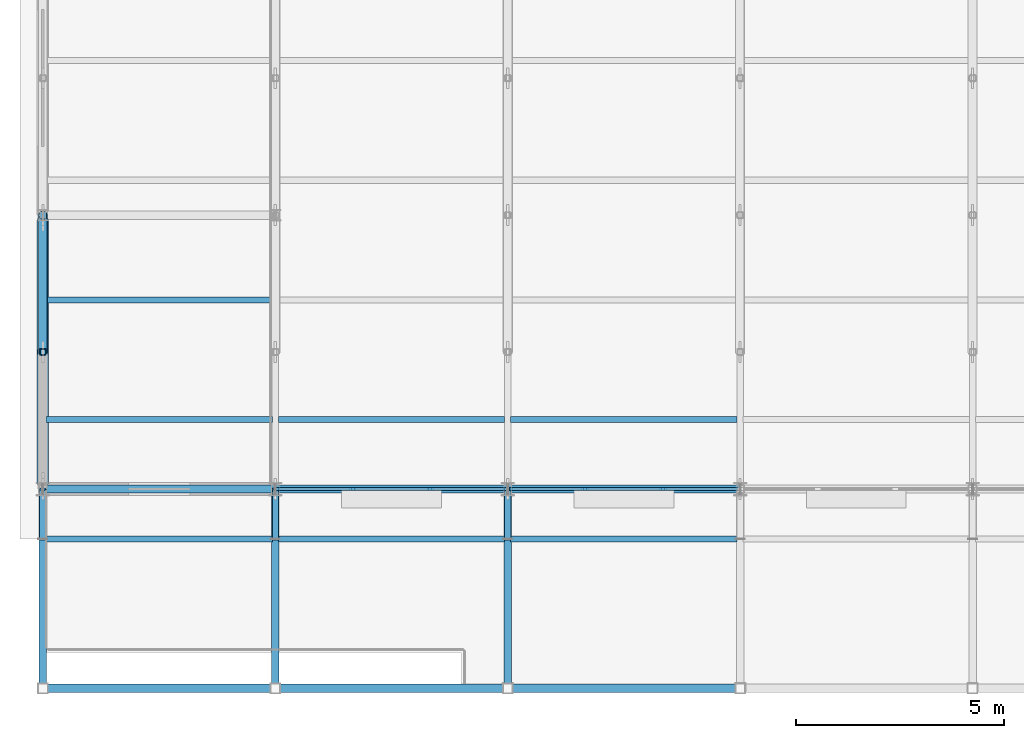
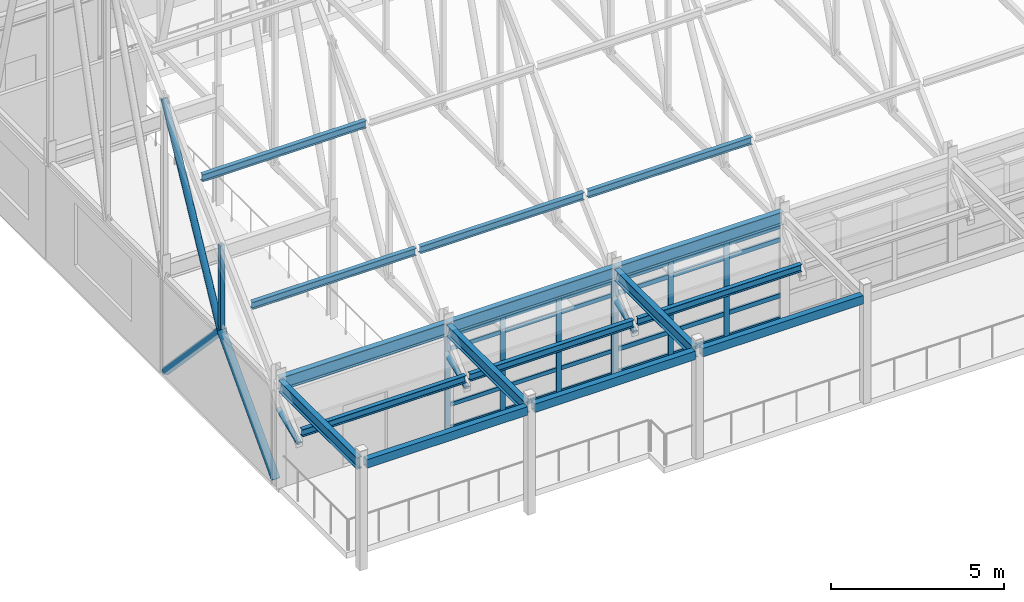
# One storey, part 22 of 144: 45 members, 9 beams, 2 elements without a shape of their own.
"""IFC4 building model written with IfcOpenShell, lengths in metres."""

from ifc_helpers import new_model, si_unit, direction, frame, origin, origin_2d, place, context, subcontext, project, spatial, rectangle, hollow_rectangle, hollow_circle, i_section, extrude, material, layer, layer_set, material_profile, profile_set, type_object, element, aggregate, save


model = new_model("IFC4")

# Units and contexts
model_context = context("Model", 3, precision=1e-05, world=origin(), true_north=direction((0.0, 1.0)))
body_context = subcontext(model_context, "Body", "Model", "MODEL_VIEW")
ifc_project = project(units=[si_unit("LENGTHUNIT", "METRE"), si_unit("AREAUNIT", "SQUARE_METRE"), si_unit("VOLUMEUNIT", "CUBIC_METRE"), si_unit("PLANEANGLEUNIT", "RADIAN"), si_unit("MASSUNIT", "GRAM", prefix="KILO")], contexts=[model_context])

# Site, building, storey
site_placement = place(None, origin())
site = spatial("IfcSite", under=ifc_project, at=site_placement, CompositionType="ELEMENT")
building_placement = place(site_placement, origin())
building = spatial("IfcBuilding", under=site, at=building_placement, Name="Trelmorton Wharf Fire Station", CompositionType="ELEMENT")
storey_placement = place(building_placement, frame((0.0, 0.0, 5.39990234375)))
storey = spatial("IfcBuildingStorey", under=building, at=storey_placement, Name="L01", CompositionType="ELEMENT", Elevation=5.39990234375)

# Beams
ifc_material_1 = material(Name="Steel Grade 350", Category="steel")
ifc_material_profile_1 = material_profile(ifc_material_1, i_section(OverallWidth=0.177978515625, OverallDepth=0.406005859375, WebThickness=0.0078125, FlangeThickness=0.0126953125, FilletRadius=0.011474609375, at=origin_2d()), Name="410UB59.7")
ifc_profile_set_1 = profile_set([ifc_material_profile_1], Name="Steel Grade 350")
beam_type_1 = type_object("IfcBeamType", Name="BM_410UB60", PredefinedType="BEAM", material=ifc_profile_set_1)
for number, where, z_axis, x_axis, name in (
    (1, (0.800048828125, 3.12109375, 3.6171875), (0.0, 1.0, 0.0), (-1.0, 0.0, 0.0), "BM-L01-0563"),
    (2, (6.39990234375, 3.12109375, 3.6171875), (0.0, 1.0, 0.0), (-1.0, 0.0, 0.0), "BM-L01-0567"),
    (3, (12.0, 3.12109375, 3.6171875), (0.0, 1.0, 0.0), (-1.0, 0.0, 0.0), "BM-L01-0571"),
):
    element("IfcBeam", number, at=place(storey_placement, frame(where, z_axis=z_axis, x_axis=x_axis)), inside=storey, type_object=beam_type_1, Name=name, PredefinedType="BEAM", context=body_context, shape_type="SweptSolid", body=[
        extrude(i_section(OverallWidth=0.177978515625, OverallDepth=0.406005859375, WebThickness=0.0078125, FlangeThickness=0.0126953125, FilletRadius=0.011474609375, at=origin_2d()), origin(), (0.0, 0.0, 1.0), 4.525390625),
    ])
ifc_material_2 = material(Name="Signal-red architectural steel Grade 350", Category="steel")
ifc_material_profile_2 = material_profile(ifc_material_2, hollow_rectangle(XDim=0.199951171875, YDim=0.300048828125, WallThickness=0.012451171875, at=origin_2d()), Name="300x200x12.5RHS")
ifc_profile_set_2 = profile_set([ifc_material_profile_2], Name="Signal-red architectural steel Grade 350")
beam_type_2 = type_object("IfcBeamType", Name="BM_RED_300RHS", PredefinedType="BEAM", material=ifc_profile_set_2)
beam_placement = place(storey_placement, frame((0.9208984375, 3.0, 3.670166015625), z_axis=(1.0, 0.0, 0.0), x_axis=(0.0, 1.0, 0.0)))
element("IfcBeam", 4, at=beam_placement, inside=storey, type_object=beam_type_2, Name="BM-L01-0393", PredefinedType="BEAM", context=body_context, shape_type="SweptSolid", body=[
    extrude(hollow_rectangle(XDim=0.199951171875, YDim=0.300048828125, WallThickness=0.012451171875, at=origin_2d()), origin(), (0.0, 0.0, 1.0), 5.358154296875),
])
for number, where, z_axis, x_axis, name in (
    (5, (6.52099609375, 3.0, 3.670166015625), (1.0, 0.0, 0.0), (0.0, 1.0, 0.0), "BM-L01-0394"),
    (6, (12.12109375, 3.0, 3.670166015625), (1.0, 0.0, 0.0), (0.0, 1.0, 0.0), "BM-L01-0395"),
):
    element("IfcBeam", number, at=place(storey_placement, frame(where, z_axis=z_axis, x_axis=x_axis)), inside=storey, type_object=beam_type_2, Name=name, PredefinedType="BEAM", context=body_context, shape_type="SweptSolid", body=[
        extrude(hollow_rectangle(XDim=0.199951171875, YDim=0.300048828125, WallThickness=0.012451171875, at=origin_2d()), origin(), (0.0, 0.0, 1.0), 5.35791015625),
    ])

# Members
ifc_material_3 = material(Name="Steel C350L0 (350 MPa)", Category="steel")
ifc_material_profile_3 = material_profile(ifc_material_3, hollow_circle(Radius=0.136474609375, WallThickness=0.00927734375, at=origin_2d()), Name="273.1x9.3CHS")
ifc_profile_set_3 = profile_set([ifc_material_profile_3], Name="Steel C350L0 (350 MPa)")
member_type_1 = type_object("IfcMemberType", Name="BR_273CHS", PredefinedType="BRACE", material=ifc_profile_set_3)
member_1_placement = place(storey_placement, frame((0.800048828125, 7.95458984375, 0.1201171875), z_axis=(0.0, 0.684495843714, 0.729016762453), x_axis=(-1.0, 0.0, 0.0)))
element("IfcMember", 7, at=member_1_placement, inside=storey, type_object=member_type_1, Name="CBF-V1-W-L01-A", PredefinedType="BRACE", context=body_context, shape_type="SweptSolid", body=[
    extrude(hollow_circle(Radius=0.136474609375, WallThickness=0.00927734375, at=origin_2d()), origin(), (0.0, 0.0, 1.0), 4.595458984375),
])
member_2_placement = place(storey_placement, frame((0.800048828125, 14.27294921875, 0.1201171875), z_axis=(0.0, -0.687638971939, 0.726052783391), x_axis=(1.0, 0.0, 0.0)))
element("IfcMember", 8, at=member_2_placement, inside=storey, type_object=member_type_1, Name="CBF-V1-W-L01-B", PredefinedType="BRACE", context=body_context, shape_type="SweptSolid", body=[
    extrude(hollow_circle(Radius=0.136474609375, WallThickness=0.00927734375, at=origin_2d()), origin(), (0.0, 0.0, 1.0), 4.614013671875),
])

# Curtain wall, members
ifc_material_4 = material(Name="Anodised aluminium AW-6063", Category="aluminium")
ifc_layer = layer(ifc_material_4, 0.159912109375)
ifc_layer_set = layer_set([ifc_layer], Name="Anodised aluminium AW-6063")
curtain_wall_type = type_object("IfcCurtainWallType", Name="CW_CHIC_A", PredefinedType="USERDEFINED", material=ifc_layer_set)
curtain_wall_1_placement = place(storey_placement, origin())
curtain_wall_1 = element("IfcCurtainWall", 9, at=curtain_wall_1_placement, inside=storey, type_object=curtain_wall_type, Name="CW-V1-L01-001", ObjectType="CHICAGO BAY CURTAIN WALL", PredefinedType="USERDEFINED")
ifc_material_profile_4 = material_profile(ifc_material_4, rectangle(XDim=0.06494140625, YDim=0.159912109375, at=origin_2d()), Name="ALU-65x160")
ifc_profile_set_4 = profile_set([ifc_material_profile_4], Name="Anodised aluminium AW-6063")
member_type_2 = type_object("IfcMemberType", Name="CWM_65x160", PredefinedType="MULLION", material=ifc_profile_set_4)
member_3_placement = place(storey_placement, frame((11.965087890625, 7.800048828125, 0.0), z_axis=(0.0, 0.0, 1.0), x_axis=(0.0, -1.0, 0.0)))
member_3 = element("IfcMember", 10, at=member_3_placement, type_object=member_type_2, Name="CW1 mullion 1", PredefinedType="MULLION", context=body_context, shape_type="SweptSolid", body=[
    extrude(rectangle(XDim=0.06494140625, YDim=0.159912109375, at=origin_2d()), origin(), (0.0, 0.0, 1.0), 3.320068359375),
])
member_4_placement = place(storey_placement, frame((10.131591796875, 7.800048828125, 0.0), z_axis=(0.0, 0.0, 1.0), x_axis=(0.0, -1.0, 0.0)))
member_4 = element("IfcMember", 11, at=member_4_placement, type_object=member_type_2, Name="CW1 mullion 2", PredefinedType="MULLION", context=body_context, shape_type="SweptSolid", body=[
    extrude(rectangle(XDim=0.06494140625, YDim=0.159912109375, at=origin_2d()), origin(), (0.0, 0.0, 1.0), 3.320068359375),
])
member_5_placement = place(storey_placement, frame((8.268310546875, 7.800048828125, 0.0), z_axis=(0.0, 0.0, 1.0), x_axis=(0.0, -1.0, 0.0)))
member_5 = element("IfcMember", 12, at=member_5_placement, type_object=member_type_2, Name="CW1 mullion 3", PredefinedType="MULLION", context=body_context, shape_type="SweptSolid", body=[
    extrude(rectangle(XDim=0.06494140625, YDim=0.159912109375, at=origin_2d()), origin(), (0.0, 0.0, 1.0), 3.320068359375),
])
member_6_placement = place(storey_placement, frame((6.43505859375, 7.800048828125, 0.0), z_axis=(0.0, 0.0, 1.0), x_axis=(0.0, -1.0, 0.0)))
member_6 = element("IfcMember", 13, at=member_6_placement, type_object=member_type_2, Name="CW1 mullion 4", PredefinedType="MULLION", context=body_context, shape_type="SweptSolid", body=[
    extrude(rectangle(XDim=0.06494140625, YDim=0.159912109375, at=origin_2d()), origin(), (0.0, 0.0, 1.0), 3.320068359375),
])

curtain_wall_2_placement = place(storey_placement, origin())
curtain_wall_2 = element("IfcCurtainWall", 14, at=curtain_wall_2_placement, inside=storey, type_object=curtain_wall_type, Name="CW-V1-L01-002", ObjectType="CHICAGO BAY CURTAIN WALL", PredefinedType="USERDEFINED")
ifc_material_profile_5 = material_profile(ifc_material_4, rectangle(XDim=0.074951171875, YDim=0.175048828125, at=origin_2d()), Name="ALU-75x175")
ifc_profile_set_5 = profile_set([ifc_material_profile_5], Name="Anodised aluminium AW-6063")
member_type_3 = type_object("IfcMemberType", Name="CWM_75x175", PredefinedType="MULLION", material=ifc_profile_set_5)
member_7_placement = place(storey_placement, frame((15.731689453125, 7.800048828125, 0.0), z_axis=(0.0, 0.0, 1.0), x_axis=(0.0, -1.0, 0.0)))
member_7 = element("IfcMember", 15, at=member_7_placement, type_object=member_type_3, Name="CW1 mullion 2", PredefinedType="MULLION", context=body_context, shape_type="SweptSolid", body=[
    extrude(rectangle(XDim=0.074951171875, YDim=0.175048828125, at=origin_2d()), origin(), (0.0, 0.0, 1.0), 3.320068359375),
])
member_8_placement = place(storey_placement, frame((13.868408203125, 7.800048828125, 0.0), z_axis=(0.0, 0.0, 1.0), x_axis=(0.0, -1.0, 0.0)))
member_8 = element("IfcMember", 16, at=member_8_placement, type_object=member_type_3, Name="CW1 mullion 3", PredefinedType="MULLION", context=body_context, shape_type="SweptSolid", body=[
    extrude(rectangle(XDim=0.074951171875, YDim=0.175048828125, at=origin_2d()), origin(), (0.0, 0.0, 1.0), 3.320068359375),
])
member_9_placement = place(storey_placement, frame((12.034912109375, 7.800048828125, 0.0), z_axis=(0.0, 0.0, 1.0), x_axis=(0.0, -1.0, 0.0)))
member_9 = element("IfcMember", 17, at=member_9_placement, type_object=member_type_3, Name="CW1 mullion 4", PredefinedType="MULLION", context=body_context, shape_type="SweptSolid", body=[
    extrude(rectangle(XDim=0.074951171875, YDim=0.175048828125, at=origin_2d()), origin(), (0.0, 0.0, 1.0), 3.320068359375),
])

# Member
ifc_material_profile_6 = material_profile(ifc_material_4, rectangle(XDim=0.06494140625, YDim=0.139892578125, at=origin_2d()), Name="ALU-65x140")
ifc_profile_set_6 = profile_set([ifc_material_profile_6], Name="Anodised aluminium AW-6063")
member_type_4 = type_object("IfcMemberType", Name="CWT_65x140", PredefinedType="USERDEFINED", material=ifc_profile_set_6)
member_10_placement = place(storey_placement, frame((11.93505859375, 7.800048828125, 0.030029296875), z_axis=(-1.0, 0.0, 0.0), x_axis=(0.0, -1.0, 0.0)))
member_10 = element("IfcMember", 18, at=member_10_placement, type_object=member_type_4, Name="CW1 transom 1.1", ObjectType="TRANSOM", PredefinedType="USERDEFINED", context=body_context, shape_type="SweptSolid", body=[
    extrude(rectangle(XDim=0.06494140625, YDim=0.139892578125, at=origin_2d()), origin(), (0.0, 0.0, 1.0), 1.7734375),
])

member_11_placement = place(storey_placement, frame((11.93505859375, 7.800048828125, 0.85009765625), z_axis=(-1.0, 0.0, 0.0), x_axis=(0.0, -1.0, 0.0)))
member_11 = element("IfcMember", 19, at=member_11_placement, type_object=member_type_4, Name="CW1 transom 1.2", ObjectType="TRANSOM", PredefinedType="USERDEFINED", context=body_context, shape_type="SweptSolid", body=[
    extrude(rectangle(XDim=0.06494140625, YDim=0.139892578125, at=origin_2d()), origin(), (0.0, 0.0, 1.0), 1.7734375),
])

member_12_placement = place(storey_placement, frame((11.93505859375, 7.800048828125, 2.820068359375), z_axis=(-1.0, 0.0, 0.0), x_axis=(0.0, -1.0, 0.0)))
member_12 = element("IfcMember", 20, at=member_12_placement, type_object=member_type_4, Name="CW1 transom 1.3", ObjectType="TRANSOM", PredefinedType="USERDEFINED", context=body_context, shape_type="SweptSolid", body=[
    extrude(rectangle(XDim=0.06494140625, YDim=0.139892578125, at=origin_2d()), origin(), (0.0, 0.0, 1.0), 1.7734375),
])

member_13_placement = place(storey_placement, frame((11.93505859375, 7.800048828125, 3.2900390625), z_axis=(-1.0, 0.0, 0.0), x_axis=(0.0, -1.0, 0.0)))
member_13 = element("IfcMember", 21, at=member_13_placement, type_object=member_type_4, Name="CW1 transom 1.4", ObjectType="TRANSOM", PredefinedType="USERDEFINED", context=body_context, shape_type="SweptSolid", body=[
    extrude(rectangle(XDim=0.06494140625, YDim=0.139892578125, at=origin_2d()), origin(), (0.0, 0.0, 1.0), 1.7734375),
])

member_14_placement = place(storey_placement, frame((10.1015625, 7.800048828125, 0.030029296875), z_axis=(-1.0, 0.0, 0.0), x_axis=(0.0, -1.0, 0.0)))
member_14 = element("IfcMember", 22, at=member_14_placement, type_object=member_type_4, Name="CW1 transom 2.1", ObjectType="TRANSOM", PredefinedType="USERDEFINED", context=body_context, shape_type="SweptSolid", body=[
    extrude(rectangle(XDim=0.06494140625, YDim=0.139892578125, at=origin_2d()), origin(), (0.0, 0.0, 1.0), 1.80322265625),
])

member_15_placement = place(storey_placement, frame((10.1015625, 7.800048828125, 0.85009765625), z_axis=(-1.0, 0.0, 0.0), x_axis=(0.0, -1.0, 0.0)))
member_15 = element("IfcMember", 23, at=member_15_placement, type_object=member_type_4, Name="CW1 transom 2.2", ObjectType="TRANSOM", PredefinedType="USERDEFINED", context=body_context, shape_type="SweptSolid", body=[
    extrude(rectangle(XDim=0.06494140625, YDim=0.139892578125, at=origin_2d()), origin(), (0.0, 0.0, 1.0), 1.80322265625),
])

member_16_placement = place(storey_placement, frame((10.1015625, 7.800048828125, 2.820068359375), z_axis=(-1.0, 0.0, 0.0), x_axis=(0.0, -1.0, 0.0)))
member_16 = element("IfcMember", 24, at=member_16_placement, type_object=member_type_4, Name="CW1 transom 2.3", ObjectType="TRANSOM", PredefinedType="USERDEFINED", context=body_context, shape_type="SweptSolid", body=[
    extrude(rectangle(XDim=0.06494140625, YDim=0.139892578125, at=origin_2d()), origin(), (0.0, 0.0, 1.0), 1.80322265625),
])

member_17_placement = place(storey_placement, frame((10.1015625, 7.800048828125, 3.2900390625), z_axis=(-1.0, 0.0, 0.0), x_axis=(0.0, -1.0, 0.0)))
member_17 = element("IfcMember", 25, at=member_17_placement, type_object=member_type_4, Name="CW1 transom 2.4", ObjectType="TRANSOM", PredefinedType="USERDEFINED", context=body_context, shape_type="SweptSolid", body=[
    extrude(rectangle(XDim=0.06494140625, YDim=0.139892578125, at=origin_2d()), origin(), (0.0, 0.0, 1.0), 1.80322265625),
])

member_18_placement = place(storey_placement, frame((8.23828125, 7.800048828125, 0.030029296875), z_axis=(-1.0, 0.0, 0.0), x_axis=(0.0, -1.0, 0.0)))
member_18 = element("IfcMember", 26, at=member_18_placement, type_object=member_type_4, Name="CW1 transom 3.1", ObjectType="TRANSOM", PredefinedType="USERDEFINED", context=body_context, shape_type="SweptSolid", body=[
    extrude(rectangle(XDim=0.06494140625, YDim=0.139892578125, at=origin_2d()), origin(), (0.0, 0.0, 1.0), 1.773193359375),
])

member_19_placement = place(storey_placement, frame((8.23828125, 7.800048828125, 0.85009765625), z_axis=(-1.0, 0.0, 0.0), x_axis=(0.0, -1.0, 0.0)))
member_19 = element("IfcMember", 27, at=member_19_placement, type_object=member_type_4, Name="CW1 transom 3.2", ObjectType="TRANSOM", PredefinedType="USERDEFINED", context=body_context, shape_type="SweptSolid", body=[
    extrude(rectangle(XDim=0.06494140625, YDim=0.139892578125, at=origin_2d()), origin(), (0.0, 0.0, 1.0), 1.773193359375),
])

member_20_placement = place(storey_placement, frame((8.23828125, 7.800048828125, 2.820068359375), z_axis=(-1.0, 0.0, 0.0), x_axis=(0.0, -1.0, 0.0)))
member_20 = element("IfcMember", 28, at=member_20_placement, type_object=member_type_4, Name="CW1 transom 3.3", ObjectType="TRANSOM", PredefinedType="USERDEFINED", context=body_context, shape_type="SweptSolid", body=[
    extrude(rectangle(XDim=0.06494140625, YDim=0.139892578125, at=origin_2d()), origin(), (0.0, 0.0, 1.0), 1.773193359375),
])

member_21_placement = place(storey_placement, frame((8.23828125, 7.800048828125, 3.2900390625), z_axis=(-1.0, 0.0, 0.0), x_axis=(0.0, -1.0, 0.0)))
member_21 = element("IfcMember", 29, at=member_21_placement, type_object=member_type_4, Name="CW1 transom 3.4", ObjectType="TRANSOM", PredefinedType="USERDEFINED", context=body_context, shape_type="SweptSolid", body=[
    extrude(rectangle(XDim=0.06494140625, YDim=0.139892578125, at=origin_2d()), origin(), (0.0, 0.0, 1.0), 1.773193359375),
])

aggregate(curtain_wall_1, [member_3, member_4, member_5, member_6, member_10, member_11, member_12, member_13, member_14, member_15, member_16, member_17, member_18, member_19, member_20, member_21])

ifc_material_profile_7 = material_profile(ifc_material_4, rectangle(XDim=0.074951171875, YDim=0.155029296875, at=origin_2d()), Name="ALU-75x155")
ifc_profile_set_7 = profile_set([ifc_material_profile_7], Name="Anodised aluminium AW-6063")
member_type_5 = type_object("IfcMemberType", Name="CWT_75x155", PredefinedType="USERDEFINED", material=ifc_profile_set_7)
member_22_placement = place(storey_placement, frame((17.534912109375, 7.800048828125, 0.030029296875), z_axis=(-1.0, 0.0, 0.0), x_axis=(0.0, -1.0, 0.0)))
member_22 = element("IfcMember", 30, at=member_22_placement, type_object=member_type_5, Name="CW1 transom 1.1", ObjectType="TRANSOM", PredefinedType="USERDEFINED", context=body_context, shape_type="SweptSolid", body=[
    extrude(rectangle(XDim=0.074951171875, YDim=0.155029296875, at=origin_2d()), origin(), (0.0, 0.0, 1.0), 1.773193359375),
])

member_23_placement = place(storey_placement, frame((17.534912109375, 7.800048828125, 0.85009765625), z_axis=(-1.0, 0.0, 0.0), x_axis=(0.0, -1.0, 0.0)))
member_23 = element("IfcMember", 31, at=member_23_placement, type_object=member_type_5, Name="CW1 transom 1.2", ObjectType="TRANSOM", PredefinedType="USERDEFINED", context=body_context, shape_type="SweptSolid", body=[
    extrude(rectangle(XDim=0.074951171875, YDim=0.155029296875, at=origin_2d()), origin(), (0.0, 0.0, 1.0), 1.773193359375),
])

member_24_placement = place(storey_placement, frame((17.534912109375, 7.800048828125, 2.820068359375), z_axis=(-1.0, 0.0, 0.0), x_axis=(0.0, -1.0, 0.0)))
member_24 = element("IfcMember", 32, at=member_24_placement, type_object=member_type_5, Name="CW1 transom 1.3", ObjectType="TRANSOM", PredefinedType="USERDEFINED", context=body_context, shape_type="SweptSolid", body=[
    extrude(rectangle(XDim=0.074951171875, YDim=0.155029296875, at=origin_2d()), origin(), (0.0, 0.0, 1.0), 1.773193359375),
])

member_25_placement = place(storey_placement, frame((17.534912109375, 7.800048828125, 3.2900390625), z_axis=(-1.0, 0.0, 0.0), x_axis=(0.0, -1.0, 0.0)))
member_25 = element("IfcMember", 33, at=member_25_placement, type_object=member_type_5, Name="CW1 transom 1.4", ObjectType="TRANSOM", PredefinedType="USERDEFINED", context=body_context, shape_type="SweptSolid", body=[
    extrude(rectangle(XDim=0.074951171875, YDim=0.155029296875, at=origin_2d()), origin(), (0.0, 0.0, 1.0), 1.773193359375),
])

member_26_placement = place(storey_placement, frame((15.70166015625, 7.800048828125, 0.030029296875), z_axis=(-1.0, 0.0, 0.0), x_axis=(0.0, -1.0, 0.0)))
member_26 = element("IfcMember", 34, at=member_26_placement, type_object=member_type_5, Name="CW1 transom 2.1", ObjectType="TRANSOM", PredefinedType="USERDEFINED", context=body_context, shape_type="SweptSolid", body=[
    extrude(rectangle(XDim=0.074951171875, YDim=0.155029296875, at=origin_2d()), origin(), (0.0, 0.0, 1.0), 1.80322265625),
])

member_27_placement = place(storey_placement, frame((15.70166015625, 7.800048828125, 0.85009765625), z_axis=(-1.0, 0.0, 0.0), x_axis=(0.0, -1.0, 0.0)))
member_27 = element("IfcMember", 35, at=member_27_placement, type_object=member_type_5, Name="CW1 transom 2.2", ObjectType="TRANSOM", PredefinedType="USERDEFINED", context=body_context, shape_type="SweptSolid", body=[
    extrude(rectangle(XDim=0.074951171875, YDim=0.155029296875, at=origin_2d()), origin(), (0.0, 0.0, 1.0), 1.80322265625),
])

member_28_placement = place(storey_placement, frame((15.70166015625, 7.800048828125, 2.820068359375), z_axis=(-1.0, 0.0, 0.0), x_axis=(0.0, -1.0, 0.0)))
member_28 = element("IfcMember", 36, at=member_28_placement, type_object=member_type_5, Name="CW1 transom 2.3", ObjectType="TRANSOM", PredefinedType="USERDEFINED", context=body_context, shape_type="SweptSolid", body=[
    extrude(rectangle(XDim=0.074951171875, YDim=0.155029296875, at=origin_2d()), origin(), (0.0, 0.0, 1.0), 1.80322265625),
])

member_29_placement = place(storey_placement, frame((15.70166015625, 7.800048828125, 3.2900390625), z_axis=(-1.0, 0.0, 0.0), x_axis=(0.0, -1.0, 0.0)))
member_29 = element("IfcMember", 37, at=member_29_placement, type_object=member_type_5, Name="CW1 transom 2.4", ObjectType="TRANSOM", PredefinedType="USERDEFINED", context=body_context, shape_type="SweptSolid", body=[
    extrude(rectangle(XDim=0.074951171875, YDim=0.155029296875, at=origin_2d()), origin(), (0.0, 0.0, 1.0), 1.80322265625),
])

member_30_placement = place(storey_placement, frame((13.83837890625, 7.800048828125, 0.030029296875), z_axis=(-1.0, 0.0, 0.0), x_axis=(0.0, -1.0, 0.0)))
member_30 = element("IfcMember", 38, at=member_30_placement, type_object=member_type_5, Name="CW1 transom 3.1", ObjectType="TRANSOM", PredefinedType="USERDEFINED", context=body_context, shape_type="SweptSolid", body=[
    extrude(rectangle(XDim=0.074951171875, YDim=0.155029296875, at=origin_2d()), origin(), (0.0, 0.0, 1.0), 1.7734375),
])

member_31_placement = place(storey_placement, frame((13.83837890625, 7.800048828125, 0.85009765625), z_axis=(-1.0, 0.0, 0.0), x_axis=(0.0, -1.0, 0.0)))
member_31 = element("IfcMember", 39, at=member_31_placement, type_object=member_type_5, Name="CW1 transom 3.2", ObjectType="TRANSOM", PredefinedType="USERDEFINED", context=body_context, shape_type="SweptSolid", body=[
    extrude(rectangle(XDim=0.074951171875, YDim=0.155029296875, at=origin_2d()), origin(), (0.0, 0.0, 1.0), 1.7734375),
])

member_32_placement = place(storey_placement, frame((13.83837890625, 7.800048828125, 2.820068359375), z_axis=(-1.0, 0.0, 0.0), x_axis=(0.0, -1.0, 0.0)))
member_32 = element("IfcMember", 40, at=member_32_placement, type_object=member_type_5, Name="CW1 transom 3.3", ObjectType="TRANSOM", PredefinedType="USERDEFINED", context=body_context, shape_type="SweptSolid", body=[
    extrude(rectangle(XDim=0.074951171875, YDim=0.155029296875, at=origin_2d()), origin(), (0.0, 0.0, 1.0), 1.7734375),
])

member_33_placement = place(storey_placement, frame((13.83837890625, 7.800048828125, 3.2900390625), z_axis=(-1.0, 0.0, 0.0), x_axis=(0.0, -1.0, 0.0)))
member_33 = element("IfcMember", 41, at=member_33_placement, type_object=member_type_5, Name="CW1 transom 3.4", ObjectType="TRANSOM", PredefinedType="USERDEFINED", context=body_context, shape_type="SweptSolid", body=[
    extrude(rectangle(XDim=0.074951171875, YDim=0.155029296875, at=origin_2d()), origin(), (0.0, 0.0, 1.0), 1.7734375),
])

aggregate(curtain_wall_2, [member_7, member_8, member_9, member_22, member_23, member_24, member_25, member_26, member_27, member_28, member_29, member_30, member_31, member_32, member_33])

# Members
ifc_material_5 = material(Name="Steel Grade 300 (300 MPa)", Category="steel")
ifc_material_profile_8 = material_profile(ifc_material_5, i_section(OverallWidth=0.14599609375, OverallDepth=0.256103515625, WebThickness=0.00634765625, FlangeThickness=0.010986328125, FilletRadius=0.0087890625, at=origin_2d()), Name="250UB37.3")
ifc_profile_set_8 = profile_set([ifc_material_profile_8], Name="Steel Grade 300 (300 MPa)")
member_type_6 = type_object("IfcMemberType", Name="PR_250UB37", PredefinedType="PURLIN", material=ifc_profile_set_8)
for number, where, z_axis, x_axis, name in (
    (42, (0.8720703125, 6.60009765625, 2.566162109375), (1.0, 0.0, 0.0), (0.0, 1.0, 0.0), "V1-PR-B01-S0"),
    (43, (0.8720703125, 9.47998046875, 5.315185546875), (1.0, 0.0, 0.0), (0.0, 1.0, 0.0), "V1-PR-B01-S1"),
    (44, (0.8720703125, 12.360107421875, 8.064453125), (1.0, 0.0, 0.0), (0.0, 1.0, 0.0), "V1-PR-B01-S2"),
):
    element("IfcMember", number, at=place(storey_placement, frame(where, z_axis=z_axis, x_axis=x_axis)), inside=storey, type_object=member_type_6, Name=name, PredefinedType="PURLIN", context=body_context, shape_type="SweptSolid", body=[
        extrude(i_section(OverallWidth=0.14599609375, OverallDepth=0.256103515625, WebThickness=0.00634765625, FlangeThickness=0.010986328125, FilletRadius=0.0087890625, at=origin_2d()), origin(), (0.0, 0.0, 1.0), 5.455810546875),
    ])
for number, where, z_axis, x_axis, name in (
    (45, (6.471923828125, 6.60009765625, 2.566162109375), (1.0, 0.0, 0.0), (0.0, 1.0, 0.0), "V1-PR-B02-S0"),
    (46, (6.471923828125, 9.47998046875, 5.315185546875), (1.0, 0.0, 0.0), (0.0, 1.0, 0.0), "V1-PR-B02-S1"),
    (47, (12.072021484375, 6.60009765625, 2.566162109375), (1.0, 0.0, 0.0), (0.0, 1.0, 0.0), "V1-PR-B03-S0"),
    (48, (12.072021484375, 9.47998046875, 5.315185546875), (1.0, 0.0, 0.0), (0.0, 1.0, 0.0), "V1-PR-B03-S1"),
):
    element("IfcMember", number, at=place(storey_placement, frame(where, z_axis=z_axis, x_axis=x_axis)), inside=storey, type_object=member_type_6, Name=name, PredefinedType="PURLIN", context=body_context, shape_type="SweptSolid", body=[
        extrude(i_section(OverallWidth=0.14599609375, OverallDepth=0.256103515625, WebThickness=0.00634765625, FlangeThickness=0.010986328125, FilletRadius=0.0087890625, at=origin_2d()), origin(), (0.0, 0.0, 1.0), 5.4560546875),
    ])

# Beams
ifc_material_profile_9 = material_profile(ifc_material_1, i_section(OverallWidth=0.18994140625, OverallDepth=0.45703125, WebThickness=0.009033203125, FlangeThickness=0.014404296875, FilletRadius=0.011474609375, at=origin_2d()), Name="460UB74.6")
ifc_profile_set_9 = profile_set([ifc_material_profile_9], Name="Steel Grade 350")
beam_type_3 = type_object("IfcBeamType", Name="SP_460UB75", PredefinedType="SPANDREL", material=ifc_profile_set_9)
for number, where, z_axis, x_axis, name in (
    (49, (0.803955078125, 7.800048828125, 3.591552734375), (1.0, 0.0, 0.0), (0.0, 1.0, 0.0), "BM-L01-0404"),
    (50, (6.404052734375, 7.800048828125, 3.591552734375), (1.0, 0.0, 0.0), (0.0, 1.0, 0.0), "BM-L01-0405"),
    (51, (12.00390625, 7.800048828125, 3.591552734375), (1.0, 0.0, 0.0), (0.0, 1.0, 0.0), "BM-L01-0406"),
):
    element("IfcBeam", number, at=place(storey_placement, frame(where, z_axis=z_axis, x_axis=x_axis)), inside=storey, type_object=beam_type_3, Name=name, PredefinedType="SPANDREL", context=body_context, shape_type="SweptSolid", body=[
        extrude(i_section(OverallWidth=0.18994140625, OverallDepth=0.45703125, WebThickness=0.009033203125, FlangeThickness=0.014404296875, FilletRadius=0.011474609375, at=origin_2d()), origin(), (0.0, 0.0, 1.0), 5.592041015625),
    ])

# Members
ifc_material_profile_10 = material_profile(ifc_material_3, hollow_circle(Radius=0.084228515625, WallThickness=0.007080078125, at=origin_2d()), Name="168.3x7.1CHS")
ifc_profile_set_10 = profile_set([ifc_material_profile_10], Name="Steel C350L0 (350 MPa)")
member_type_7 = type_object("IfcMemberType", Name="TR_DIAG_168CHS", PredefinedType="STRUT", material=ifc_profile_set_10)
for number, where, z_axis, x_axis, name in (
    (52, (0.800048828125, 7.800048828125, 2.7001953125), (0.0, -0.924732639899, -0.380617320553), (1.0, 0.0, 0.0), "V1-TR01-EAV-S"),
    (53, (6.39990234375, 7.800048828125, 2.7001953125), (0.0, -0.924732639899, -0.380617320553), (1.0, 0.0, 0.0), "V1-TR02-EAV-S"),
    (54, (12.0, 7.800048828125, 2.7001953125), (0.0, -0.924732639899, -0.380617320553), (1.0, 0.0, 0.0), "V1-TR03-EAV-S"),
):
    element("IfcMember", number, at=place(storey_placement, frame(where, z_axis=z_axis, x_axis=x_axis)), inside=storey, type_object=member_type_7, Name=name, PredefinedType="STRUT", context=body_context, shape_type="SweptSolid", body=[
        extrude(hollow_circle(Radius=0.084228515625, WallThickness=0.007080078125, at=origin_2d()), origin(), (0.0, 0.0, 1.0), 1.297607421875),
    ])
ifc_material_profile_11 = material_profile(ifc_material_3, hollow_circle(Radius=0.109619140625, WallThickness=0.00830078125, at=origin_2d()), Name="219.1x8.2CHS")
ifc_profile_set_11 = profile_set([ifc_material_profile_11], Name="Steel C350L0 (350 MPa)")
member_type_8 = type_object("IfcMemberType", Name="TR_DIAG_219CHS", PredefinedType="STRUT", material=ifc_profile_set_11)
member_34_placement = place(storey_placement, frame((0.800048828125, 11.10009765625, 3.351806640625), z_axis=(0.0, 0.463982622554, 0.8858443012), x_axis=(-1.0, 0.0, 0.0)))
element("IfcMember", 55, at=member_34_placement, inside=storey, type_object=member_type_8, Name="V1-TR01-DG-S1", PredefinedType="STRUT", context=body_context, shape_type="SweptSolid", body=[
    extrude(hollow_circle(Radius=0.109619140625, WallThickness=0.00830078125, at=origin_2d()), origin(), (0.0, 0.0, 1.0), 7.11181640625),
])
ifc_material_profile_12 = material_profile(ifc_material_3, hollow_rectangle(XDim=0.14990234375, YDim=0.14990234375, WallThickness=0.009033203125, at=origin_2d()), Name="150x150x9.0SHS")
ifc_profile_set_12 = profile_set([ifc_material_profile_12], Name="Steel C350L0 (350 MPa)")
member_type_9 = type_object("IfcMemberType", Name="TR_POST_150SHS", PredefinedType="POST", material=ifc_profile_set_12)
member_35_placement = place(storey_placement, frame((0.800048828125, 11.10009765625, 3.351806640625), z_axis=(0.0, 0.0, 1.0), x_axis=(1.0, 0.0, 0.0)))
element("IfcMember", 56, at=member_35_placement, inside=storey, type_object=member_type_9, Name="V1-TR01-VP-S1", PredefinedType="POST", context=body_context, shape_type="SweptSolid", body=[
    extrude(hollow_rectangle(XDim=0.14990234375, YDim=0.14990234375, WallThickness=0.009033203125, at=origin_2d()), origin(), (0.0, 0.0, 1.0), 3.150146484375),
])

save(model, "model.ifc")
